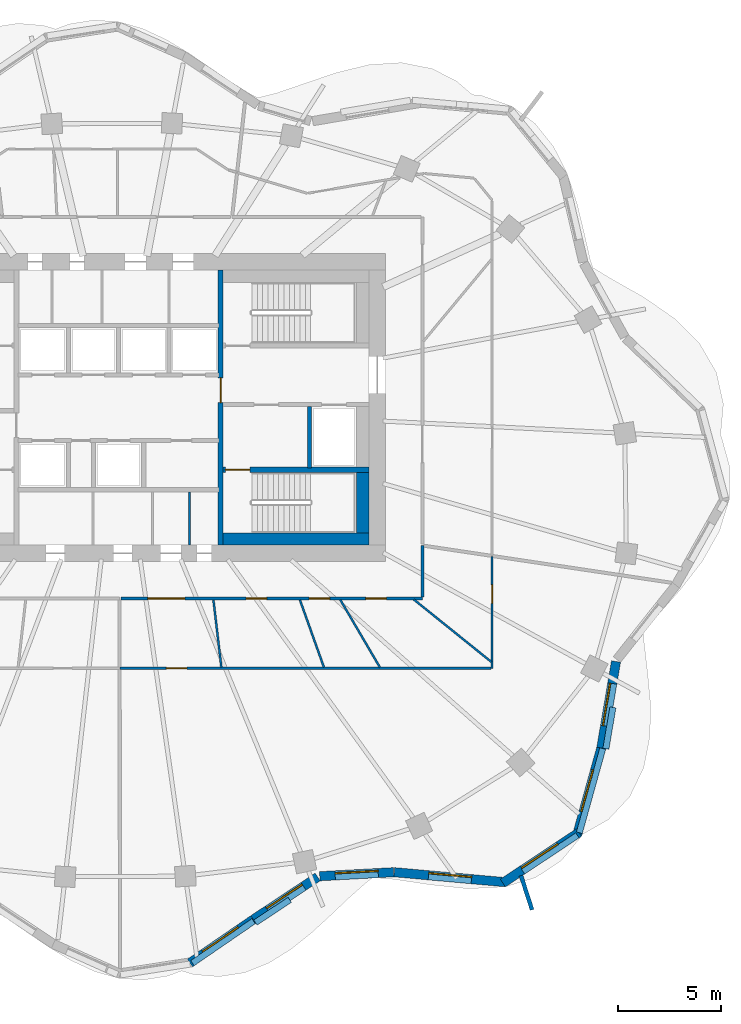
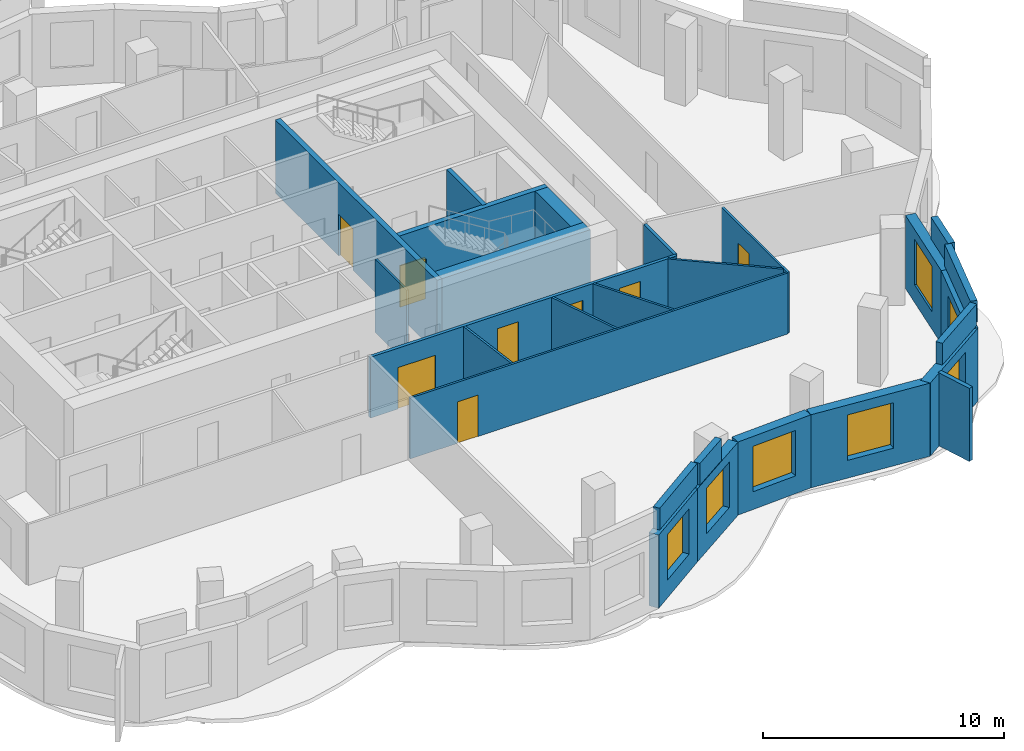
# One storey, part 5 of 9: 27 walls, 8 doors, 7 windows, 15 openings.
"""IFC4 building model written with IfcOpenShell, lengths in metres."""

from ifc_helpers import new_model, si_unit, direction, frame, frame_2d, origin, place, context, subcontext, project, spatial, rectangle, extrude, material, layer, layer_set, type_object, element, fill, save


model = new_model("IFC4")

# Units and contexts
model_context = context("Model", 3, precision=1e-05, world=origin(), true_north=direction((0.0, 1.0)))
body_context = subcontext(model_context, "Body", "Model", "MODEL_VIEW")
ifc_project = project(units=[si_unit("LENGTHUNIT", "METRE"), si_unit("AREAUNIT", "SQUARE_METRE"), si_unit("VOLUMEUNIT", "CUBIC_METRE"), si_unit("PLANEANGLEUNIT", "RADIAN"), si_unit("MASSUNIT", "GRAM", prefix="KILO")], contexts=[model_context])

# Site, building, storey
site_placement = place(None, origin())
site = spatial("IfcSite", under=ifc_project, at=site_placement, CompositionType="ELEMENT")
building_placement = place(site_placement, origin())
building = spatial("IfcBuilding", under=site, at=building_placement, Name="Rubra Terraces Tower", CompositionType="ELEMENT")
storey_placement = place(building_placement, frame((0.0, 0.0, 229.199951171875)))
storey = spatial("IfcBuildingStorey", under=building, at=storey_placement, Name="L56", CompositionType="ELEMENT", Elevation=229.199951171875)

# Wall, opening, window
ifc_material_1 = material(Name="Brick masonry red-brown", Category="masonry")
ifc_layer_1 = layer(ifc_material_1, 0.449951171875)
ifc_layer_set_1 = layer_set([ifc_layer_1], Name="Brick masonry red-brown")
wall_type_1 = type_object("IfcWallType", Name="Brick facade wall 450", PredefinedType="SOLIDWALL", material=ifc_layer_set_1)
wall_1_placement = place(storey_placement, frame((3.478515625, -22.559814453125, 0.0), z_axis=(0.0, 0.0, 1.0), x_axis=(0.824722766417, 0.565537230033, 0.0)))
wall_1 = element("IfcWall", 1, at=wall_1_placement, inside=storey, type_object=wall_type_1, Name="Facade wall L56 bay 32", PredefinedType="SOLIDWALL", context=body_context, shape_type="SweptSolid", body=[
    extrude(rectangle(XDim=3.742431640625, YDim=0.449951171875, at=frame_2d((1.87109375, 0.0))), origin(), (0.0, 0.0, 1.0), 3.699951171875),
])
opening_1_placement = place(wall_1_placement, frame((0.8212890625, 0.0, 0.89990234375)))
opening_1 = element("IfcOpeningElement", 2, at=opening_1_placement, cuts=wall_1, Name="Opening W1B", PredefinedType="OPENING", context=body_context, shape_type="SweptSolid", body=[
    extrude(rectangle(XDim=2.10009765625, YDim=2.300048828125, at=frame_2d((1.050048828125, 1.14990234375))), frame((0.0, 0.23486328125, 0.0), z_axis=(0.0, -1.0, 0.0), x_axis=(1.0, 0.0, 0.0)), (0.0, 0.0, 1.0), 0.469970703125),
])
ifc_material_2 = material(Name="Clear glass in aluminium frame", Category="aluminium")
window_type = type_object("IfcWindowType", Name="Fixed deep-set window tall storey 2100 x 2300", PartitioningType="SINGLE_PANEL", PredefinedType="WINDOW", material=ifc_material_2)
window_1_placement = place(opening_1_placement, origin())
window_1 = element("IfcWindow", 3, at=window_1_placement, inside=storey, type_object=window_type, Name="Window L56 bay 32", OverallHeight=2.300048828125, OverallWidth=2.10009765625, PartitioningType="SINGLE_PANEL", PredefinedType="WINDOW", context=body_context, shape_type="SweptSolid", body=[
    extrude(rectangle(XDim=2.10009765625, YDim=2.300048828125, at=frame_2d((1.050048828125, 1.14990234375))), frame((0.0, 0.135009765625, 0.0), z_axis=(0.0, -1.0, 0.0), x_axis=(1.0, 0.0, 0.0)), (0.0, 0.0, 1.0), 0.06005859375),
])
fill(opening_1, window_1)

wall_2_placement = place(storey_placement, frame((6.568115234375, -20.44140625, 0.0), z_axis=(0.0, 0.0, 1.0), x_axis=(0.834034214531, 0.551712723246, 0.0)))
wall_2 = element("IfcWall", 4, at=wall_2_placement, inside=storey, type_object=wall_type_1, Name="Facade wall L56 bay 33", PredefinedType="SOLIDWALL", context=body_context, shape_type="SweptSolid", body=[
    extrude(rectangle(XDim=3.75732421875, YDim=0.449951171875, at=frame_2d((1.878662109375, 0.0))), origin(), (0.0, 0.0, 1.0), 3.699951171875),
])
opening_2_placement = place(wall_2_placement, frame((0.82861328125, 0.0, 0.89990234375)))
opening_2 = element("IfcOpeningElement", 5, at=opening_2_placement, cuts=wall_2, Name="Opening W1B", PredefinedType="OPENING", context=body_context, shape_type="SweptSolid", body=[
    extrude(rectangle(XDim=2.10009765625, YDim=2.300048828125, at=frame_2d((1.050048828125, 1.14990234375))), frame((0.0, 0.23486328125, 0.0), z_axis=(0.0, -1.0, 0.0), x_axis=(1.0, 0.0, 0.0)), (0.0, 0.0, 1.0), 0.469970703125),
])
window_2_placement = place(opening_2_placement, origin())
window_2 = element("IfcWindow", 6, at=window_2_placement, inside=storey, type_object=window_type, Name="Window L56 bay 33", OverallHeight=2.300048828125, OverallWidth=2.10009765625, PartitioningType="SINGLE_PANEL", PredefinedType="WINDOW", context=body_context, shape_type="SweptSolid", body=[
    extrude(rectangle(XDim=2.10009765625, YDim=2.300048828125, at=frame_2d((1.050048828125, 1.14990234375))), frame((0.0, 0.135009765625, 0.0), z_axis=(0.0, -1.0, 0.0), x_axis=(1.0, 0.0, 0.0)), (0.0, 0.0, 1.0), 0.06005859375),
])
fill(opening_2, window_2)

wall_3_placement = place(storey_placement, frame((9.80322265625, -18.333740234375, 0.0), z_axis=(0.0, 0.0, 1.0), x_axis=(0.998525941495, 0.054276552602, 0.0)))
wall_3 = element("IfcWall", 7, at=wall_3_placement, inside=storey, type_object=wall_type_1, Name="Facade wall L56 bay 34", PredefinedType="SOLIDWALL", context=body_context, shape_type="SweptSolid", body=[
    extrude(rectangle(XDim=3.60302734375, YDim=0.449951171875, at=frame_2d((1.801513671875, 0.0))), origin(), (0.0, 0.0, 1.0), 3.699951171875),
])
opening_3_placement = place(wall_3_placement, frame((0.75146484375, 0.0, 0.89990234375)))
opening_3 = element("IfcOpeningElement", 8, at=opening_3_placement, cuts=wall_3, Name="Opening W1B", PredefinedType="OPENING", context=body_context, shape_type="SweptSolid", body=[
    extrude(rectangle(XDim=2.10009765625, YDim=2.300048828125, at=frame_2d((1.050048828125, 1.14990234375))), frame((0.0, 0.23486328125, 0.0), z_axis=(0.0, -1.0, 0.0), x_axis=(1.0, 0.0, 0.0)), (0.0, 0.0, 1.0), 0.469970703125),
])
window_3_placement = place(opening_3_placement, origin())
window_3 = element("IfcWindow", 9, at=window_3_placement, inside=storey, type_object=window_type, Name="Window L56 bay 34", OverallHeight=2.300048828125, OverallWidth=2.10009765625, PartitioningType="SINGLE_PANEL", PredefinedType="WINDOW", context=body_context, shape_type="SweptSolid", body=[
    extrude(rectangle(XDim=2.10009765625, YDim=2.300048828125, at=frame_2d((1.050048828125, 1.14990234375))), frame((0.0, 0.135009765625, 0.0), z_axis=(0.0, -1.0, 0.0), x_axis=(1.0, 0.0, 0.0)), (0.0, 0.0, 1.0), 0.06005859375),
])
fill(opening_3, window_3)

wall_4_placement = place(storey_placement, frame((13.435791015625, -18.1376953125, 0.0), z_axis=(0.0, 0.0, 1.0), x_axis=(0.99598810213, -0.089485755376, 0.0)))
wall_4 = element("IfcWall", 10, at=wall_4_placement, inside=storey, type_object=wall_type_1, Name="Facade wall L56 bay 35", PredefinedType="SOLIDWALL", context=body_context, shape_type="SweptSolid", body=[
    extrude(rectangle(XDim=5.451171875, YDim=0.449951171875, at=frame_2d((2.7255859375, 0.0))), origin(), (0.0, 0.0, 1.0), 3.699951171875),
])
opening_4_placement = place(wall_4_placement, frame((1.675537109375, 0.0, 0.89990234375)))
opening_4 = element("IfcOpeningElement", 11, at=opening_4_placement, cuts=wall_4, Name="Opening W1B", PredefinedType="OPENING", context=body_context, shape_type="SweptSolid", body=[
    extrude(rectangle(XDim=2.10009765625, YDim=2.300048828125, at=frame_2d((1.050048828125, 1.14990234375))), frame((0.0, 0.23486328125, 0.0), z_axis=(0.0, -1.0, 0.0), x_axis=(1.0, 0.0, 0.0)), (0.0, 0.0, 1.0), 0.469970703125),
])
window_4_placement = place(opening_4_placement, origin())
window_4 = element("IfcWindow", 12, at=window_4_placement, inside=storey, type_object=window_type, Name="Window L56 bay 35", OverallHeight=2.300048828125, OverallWidth=2.10009765625, PartitioningType="SINGLE_PANEL", PredefinedType="WINDOW", context=body_context, shape_type="SweptSolid", body=[
    extrude(rectangle(XDim=2.10009765625, YDim=2.300048828125, at=frame_2d((1.050048828125, 1.14990234375))), frame((0.0, 0.135009765625, 0.0), z_axis=(0.0, -1.0, 0.0), x_axis=(1.0, 0.0, 0.0)), (0.0, 0.0, 1.0), 0.06005859375),
])
fill(opening_4, window_4)

wall_5_placement = place(storey_placement, frame((18.7255859375, -18.66259765625, 0.0), z_axis=(0.0, 0.0, 1.0), x_axis=(0.83333921474, 0.552761931736, 0.0)))
wall_5 = element("IfcWall", 13, at=wall_5_placement, inside=storey, type_object=wall_type_1, Name="Facade wall L56 bay 36", PredefinedType="SOLIDWALL", context=body_context, shape_type="SweptSolid", body=[
    extrude(rectangle(XDim=4.45068359375, YDim=0.449951171875, at=frame_2d((2.225341796875, 0.0))), origin(), (0.0, 0.0, 1.0), 3.699951171875),
])
opening_5_placement = place(wall_5_placement, frame((1.17529296875, 0.0, 0.89990234375)))
opening_5 = element("IfcOpeningElement", 14, at=opening_5_placement, cuts=wall_5, Name="Opening W1B", PredefinedType="OPENING", context=body_context, shape_type="SweptSolid", body=[
    extrude(rectangle(XDim=2.10009765625, YDim=2.300048828125, at=frame_2d((1.050048828125, 1.14990234375))), frame((0.0, 0.23486328125, 0.0), z_axis=(0.0, -1.0, 0.0), x_axis=(1.0, 0.0, 0.0)), (0.0, 0.0, 1.0), 0.469970703125),
])
window_5_placement = place(opening_5_placement, origin())
window_5 = element("IfcWindow", 15, at=window_5_placement, inside=storey, type_object=window_type, Name="Window L56 bay 36", OverallHeight=2.300048828125, OverallWidth=2.10009765625, PartitioningType="SINGLE_PANEL", PredefinedType="WINDOW", context=body_context, shape_type="SweptSolid", body=[
    extrude(rectangle(XDim=2.10009765625, YDim=2.300048828125, at=frame_2d((1.050048828125, 1.14990234375))), frame((0.0, 0.135009765625, 0.0), z_axis=(0.0, -1.0, 0.0), x_axis=(1.0, 0.0, 0.0)), (0.0, 0.0, 1.0), 0.06005859375),
])
fill(opening_5, window_5)

wall_6_placement = place(storey_placement, frame((22.343505859375, -16.32568359375, 0.0), z_axis=(0.0, 0.0, 1.0), x_axis=(0.267925456304, 0.963439645159, 0.0)))
wall_6 = element("IfcWall", 16, at=wall_6_placement, inside=storey, type_object=wall_type_1, Name="Facade wall L56 bay 37", PredefinedType="SOLIDWALL", context=body_context, shape_type="SweptSolid", body=[
    extrude(rectangle(XDim=4.4267578125, YDim=0.449951171875, at=frame_2d((2.21337890625, 0.0))), origin(), (0.0, 0.0, 1.0), 3.699951171875),
])
opening_6_placement = place(wall_6_placement, frame((1.16357421875, 0.0, 0.89990234375)))
opening_6 = element("IfcOpeningElement", 17, at=opening_6_placement, cuts=wall_6, Name="Opening W1B", PredefinedType="OPENING", context=body_context, shape_type="SweptSolid", body=[
    extrude(rectangle(XDim=2.10009765625, YDim=2.300048828125, at=frame_2d((1.050048828125, 1.14990234375))), frame((0.0, 0.23486328125, 0.0), z_axis=(0.0, -1.0, 0.0), x_axis=(1.0, 0.0, 0.0)), (0.0, 0.0, 1.0), 0.469970703125),
])
window_6_placement = place(opening_6_placement, origin())
window_6 = element("IfcWindow", 18, at=window_6_placement, inside=storey, type_object=window_type, Name="Window L56 bay 37", OverallHeight=2.300048828125, OverallWidth=2.10009765625, PartitioningType="SINGLE_PANEL", PredefinedType="WINDOW", context=body_context, shape_type="SweptSolid", body=[
    extrude(rectangle(XDim=2.10009765625, YDim=2.300048828125, at=frame_2d((1.050048828125, 1.14990234375))), frame((0.0, 0.135009765625, 0.0), z_axis=(0.0, -1.0, 0.0), x_axis=(1.0, 0.0, 0.0)), (0.0, 0.0, 1.0), 0.06005859375),
])
fill(opening_6, window_6)

wall_7_placement = place(storey_placement, frame((23.524169921875, -12.0830078125, 0.0), z_axis=(0.0, 0.0, 1.0), x_axis=(0.167445072349, 0.985881406532, 0.0)))
wall_7 = element("IfcWall", 19, at=wall_7_placement, inside=storey, type_object=wall_type_1, Name="Facade wall L56 bay 38", PredefinedType="SOLIDWALL", context=body_context, shape_type="SweptSolid", body=[
    extrude(rectangle(XDim=4.27490234375, YDim=0.449951171875, at=frame_2d((2.137451171875, 0.0))), origin(), (0.0, 0.0, 1.0), 3.699951171875),
])
opening_7_placement = place(wall_7_placement, frame((1.08740234375, 0.0, 0.89990234375)))
opening_7 = element("IfcOpeningElement", 20, at=opening_7_placement, cuts=wall_7, Name="Opening W1B", PredefinedType="OPENING", context=body_context, shape_type="SweptSolid", body=[
    extrude(rectangle(XDim=2.10009765625, YDim=2.300048828125, at=frame_2d((1.050048828125, 1.14990234375))), frame((0.0, 0.23486328125, 0.0), z_axis=(0.0, -1.0, 0.0), x_axis=(1.0, 0.0, 0.0)), (0.0, 0.0, 1.0), 0.469970703125),
])
window_7_placement = place(opening_7_placement, origin())
window_7 = element("IfcWindow", 21, at=window_7_placement, inside=storey, type_object=window_type, Name="Window L56 bay 38", OverallHeight=2.300048828125, OverallWidth=2.10009765625, PartitioningType="SINGLE_PANEL", PredefinedType="WINDOW", context=body_context, shape_type="SweptSolid", body=[
    extrude(rectangle(XDim=2.10009765625, YDim=2.300048828125, at=frame_2d((1.050048828125, 1.14990234375))), frame((0.0, 0.135009765625, 0.0), z_axis=(0.0, -1.0, 0.0), x_axis=(1.0, 0.0, 0.0)), (0.0, 0.0, 1.0), 0.06005859375),
])
fill(opening_7, window_7)

# Walls
ifc_layer_2 = layer(ifc_material_1, 0.300048828125)
ifc_layer_set_2 = layer_set([ifc_layer_2], Name="Brick masonry red-brown")
wall_type_2 = type_object("IfcWallType", Name="Brick parapet 300", PredefinedType="PARAPET", material=ifc_layer_set_2)
wall_8_placement = place(storey_placement, frame((3.59912109375, -22.56787109375, 3.900146484375), z_axis=(0.0, 0.0, 1.0), x_axis=(0.82476034254, 0.565482428881, 0.0)))
element("IfcWall", 22, at=wall_8_placement, inside=storey, type_object=wall_type_2, Name="Parapet L56 bay 32", PredefinedType="PARAPET", context=body_context, shape_type="SweptSolid", body=[
    extrude(rectangle(XDim=3.61572265625, YDim=0.300048828125, at=frame_2d((1.807861328125, 0.0))), origin(), (0.0, 0.0, 1.0), 1.099853515625),
])
wall_9_placement = place(storey_placement, frame((6.665283203125, -20.593017578125, 3.900146484375), z_axis=(0.0, 0.0, 1.0), x_axis=(0.834027642059, 0.551722658843, 0.0)))
element("IfcWall", 23, at=wall_9_placement, inside=storey, type_object=wall_type_2, Name="Parapet L56 bay 33", PredefinedType="PARAPET", context=body_context, shape_type="SweptSolid", body=[
    extrude(rectangle(XDim=2.008056640625, YDim=0.300048828125, at=frame_2d((1.00390625, 0.0))), origin(), (0.0, 0.0, 1.0), 1.099853515625),
])
wall_10_placement = place(storey_placement, frame((19.70751953125, -18.101318359375, 3.900146484375), z_axis=(0.0, 0.0, 1.0), x_axis=(0.833370664286, 0.552714515738, 0.0)))
element("IfcWall", 24, at=wall_10_placement, inside=storey, type_object=wall_type_2, Name="Parapet L56 bay 36", PredefinedType="PARAPET", context=body_context, shape_type="SweptSolid", body=[
    extrude(rectangle(XDim=3.180419921875, YDim=0.300048828125, at=frame_2d((1.59033203125, 0.0))), origin(), (0.0, 0.0, 1.0), 1.099853515625),
])
wall_11_placement = place(storey_placement, frame((22.452392578125, -16.213134765625, 3.900146484375), z_axis=(0.0, 0.0, 1.0), x_axis=(0.267993020858, 0.963420853403, 0.0)))
element("IfcWall", 25, at=wall_11_placement, inside=storey, type_object=wall_type_2, Name="Parapet L56 bay 37", PredefinedType="PARAPET", context=body_context, shape_type="SweptSolid", body=[
    extrude(rectangle(XDim=4.25537109375, YDim=0.300048828125, at=frame_2d((2.127685546875, 0.0))), origin(), (0.0, 0.0, 1.0), 1.099853515625),
])
wall_12_placement = place(storey_placement, frame((23.7451171875, -12.125, 3.900146484375), z_axis=(0.0, 0.0, 1.0), x_axis=(0.16743218322, 0.985883595574, 0.0)))
element("IfcWall", 26, at=wall_12_placement, inside=storey, type_object=wall_type_2, Name="Parapet L56 bay 38", PredefinedType="PARAPET", context=body_context, shape_type="SweptSolid", body=[
    extrude(rectangle(XDim=2.048583984375, YDim=0.300048828125, at=frame_2d((1.0244140625, 0.0))), origin(), (0.0, 0.0, 1.0), 1.099853515625),
])
ifc_layer_3 = layer(ifc_material_1, 0.199951171875)
ifc_layer_set_3 = layer_set([ifc_layer_3], Name="Brick masonry red-brown")
wall_type_3 = type_object("IfcWallType", Name="Brick wind fin 200", PredefinedType="SOLIDWALL", material=ifc_layer_set_3)
wall_13_placement = place(storey_placement, frame((19.60888671875, -18.304931640625, 0.0), z_axis=(0.0, 0.0, 1.0), x_axis=(0.308600224758, -0.951191832008, 0.0)))
element("IfcWall", 27, at=wall_13_placement, inside=storey, type_object=wall_type_3, Name="Wind fin L56 22", PredefinedType="SOLIDWALL", context=body_context, shape_type="SweptSolid", body=[
    extrude(rectangle(XDim=1.75, YDim=0.199951171875, at=frame_2d((0.875, 0.0))), origin(), (0.0, 0.0, 1.0), 3.699951171875),
])

# Wall, openings, doors
ifc_material_3 = material(Name="Plasterboard on steel stud, mineral wool infill", Category="steel")
ifc_layer_4 = layer(ifc_material_3, 0.14990234375)
ifc_layer_set_4 = layer_set([ifc_layer_4], Name="Plasterboard on steel stud, mineral wool infill")
wall_type_4 = type_object("IfcWallType", Name="CORRIDOR PARTITION 150", PredefinedType="PARTITIONING", material=ifc_layer_set_4)
wall_14_placement = place(storey_placement, frame((0.126953125, -4.800048828125, 0.0), z_axis=(0.0, 0.0, 1.0), x_axis=(1.0, 0.0, 0.0)))
wall_14 = element("IfcWall", 28, at=wall_14_placement, inside=storey, type_object=wall_type_4, Name="PARTITION", PredefinedType="PARTITIONING", context=body_context, shape_type="SweptSolid", body=[
    extrude(rectangle(XDim=14.673095703125, YDim=0.14990234375, at=frame_2d((7.33642578125, 0.0))), origin(), (0.0, 0.0, 1.0), 3.083984375),
])
opening_8_placement = place(wall_14_placement, frame((1.305908203125, 0.0, 0.0)))
opening_8 = element("IfcOpeningElement", 29, at=opening_8_placement, cuts=wall_14, Name="Opening 56-110", PredefinedType="OPENING", context=body_context, shape_type="SweptSolid", body=[
    extrude(rectangle(XDim=1.800048828125, YDim=2.10009765625, at=frame_2d((0.89990234375, 1.050048828125))), frame((0.0, 0.0849609375, 0.0), z_axis=(0.0, -1.0, 0.0), x_axis=(1.0, 0.0, 0.0)), (0.0, 0.0, 1.0), 0.169921875),
])
opening_9_placement = place(wall_14_placement, frame((6.0859375, 0.0, 0.0)))
opening_9 = element("IfcOpeningElement", 30, at=opening_9_placement, cuts=wall_14, Name="Opening 56-112", PredefinedType="OPENING", context=body_context, shape_type="SweptSolid", body=[
    extrude(rectangle(XDim=1.0, YDim=2.39990234375, at=frame_2d((0.5, 1.199951171875))), frame((0.0, 0.0849609375, 0.0), z_axis=(0.0, -1.0, 0.0), x_axis=(1.0, 0.0, 0.0)), (0.0, 0.0, 1.0), 0.169921875),
])
opening_10_placement = place(wall_14_placement, frame((9.1630859375, 0.0, 0.0)))
opening_10 = element("IfcOpeningElement", 31, at=opening_10_placement, cuts=wall_14, Name="Opening 56-113", PredefinedType="OPENING", context=body_context, shape_type="SweptSolid", body=[
    extrude(rectangle(XDim=1.0, YDim=2.39990234375, at=frame_2d((0.5, 1.199951171875))), frame((0.0, 0.0849609375, 0.0), z_axis=(0.0, -1.0, 0.0), x_axis=(1.0, 0.0, 0.0)), (0.0, 0.0, 1.0), 0.169921875),
])
opening_11_placement = place(wall_14_placement, frame((11.919921875, 0.0, 0.0)))
opening_11 = element("IfcOpeningElement", 32, at=opening_11_placement, cuts=wall_14, Name="Opening 56-114", PredefinedType="OPENING", context=body_context, shape_type="SweptSolid", body=[
    extrude(rectangle(XDim=1.0, YDim=2.39990234375, at=frame_2d((0.5, 1.199951171875))), frame((0.0, 0.0849609375, 0.0), z_axis=(0.0, -1.0, 0.0), x_axis=(1.0, 0.0, 0.0)), (0.0, 0.0, 1.0), 0.169921875),
])
ifc_material_4 = material(Name="Glazed aluminium meeting door leaf", Category="aluminium")
door_type_1 = type_object("IfcDoorType", Name="MEETING ROOM GLAZED DOOR 1000 X 2400", OperationType="SINGLE_SWING_LEFT", PredefinedType="DOOR", material=ifc_material_4)
door_1_placement = place(opening_9_placement, origin())
door_1 = element("IfcDoor", 33, at=door_1_placement, inside=storey, type_object=door_type_1, Name="DOOR 56-112", OperationType="SINGLE_SWING_RIGHT", OverallHeight=2.39990234375, OverallWidth=1.0, PredefinedType="DOOR", context=body_context, shape_type="SweptSolid", body=[
    extrude(rectangle(XDim=1.0, YDim=2.39990234375, at=frame_2d((0.5, 1.199951171875))), frame((0.0, 0.02490234375, 0.0), z_axis=(0.0, -1.0, 0.0), x_axis=(1.0, 0.0, 0.0)), (0.0, 0.0, 1.0), 0.050048828125),
])
fill(opening_9, door_1)
door_2_placement = place(opening_10_placement, origin())
door_2 = element("IfcDoor", 34, at=door_2_placement, inside=storey, type_object=door_type_1, Name="DOOR 56-113", OperationType="SINGLE_SWING_RIGHT", OverallHeight=2.39990234375, OverallWidth=1.0, PredefinedType="DOOR", context=body_context, shape_type="SweptSolid", body=[
    extrude(rectangle(XDim=1.0, YDim=2.39990234375, at=frame_2d((0.5, 1.199951171875))), frame((0.0, 0.02490234375, 0.0), z_axis=(0.0, -1.0, 0.0), x_axis=(1.0, 0.0, 0.0)), (0.0, 0.0, 1.0), 0.050048828125),
])
fill(opening_10, door_2)
door_3_placement = place(opening_11_placement, origin())
door_3 = element("IfcDoor", 35, at=door_3_placement, inside=storey, type_object=door_type_1, Name="DOOR 56-114", OperationType="SINGLE_SWING_RIGHT", OverallHeight=2.39990234375, OverallWidth=1.0, PredefinedType="DOOR", context=body_context, shape_type="SweptSolid", body=[
    extrude(rectangle(XDim=1.0, YDim=2.39990234375, at=frame_2d((0.5, 1.199951171875))), frame((0.0, 0.02490234375, 0.0), z_axis=(0.0, -1.0, 0.0), x_axis=(1.0, 0.0, 0.0)), (0.0, 0.0, 1.0), 0.050048828125),
])
fill(opening_11, door_3)
ifc_material_5 = material(Name="Painted timber door leaf, double", Category="wood")
door_type_2 = type_object("IfcDoorType", Name="ROOM DOUBLE DOOR 1800 X 2100", OperationType="DOUBLE_DOOR_SINGLE_SWING", PredefinedType="DOOR", material=ifc_material_5)
door_4_placement = place(opening_8_placement, origin())
door_4 = element("IfcDoor", 36, at=door_4_placement, inside=storey, type_object=door_type_2, Name="DOOR 56-110", OperationType="DOUBLE_DOOR_SINGLE_SWING", OverallHeight=2.10009765625, OverallWidth=1.800048828125, PredefinedType="DOOR", context=body_context, shape_type="SweptSolid", body=[
    extrude(rectangle(XDim=1.800048828125, YDim=2.10009765625, at=frame_2d((0.89990234375, 1.050048828125))), frame((0.0, 0.02490234375, 0.0), z_axis=(0.0, -1.0, 0.0), x_axis=(1.0, 0.0, 0.0)), (0.0, 0.0, 1.0), 0.050048828125),
])
fill(opening_8, door_4)

# Walls
wall_15_placement = place(storey_placement, frame((14.800048828125, -4.72509765625, 0.0), z_axis=(0.0, 0.0, 1.0), x_axis=(0.0, 1.0, 0.0)))
element("IfcWall", 37, at=wall_15_placement, inside=storey, type_object=wall_type_4, Name="PARTITION", PredefinedType="PARTITIONING", context=body_context, shape_type="SweptSolid", body=[
    extrude(rectangle(XDim=2.50830078125, YDim=0.14990234375, at=frame_2d((1.254150390625, 0.0))), origin(), (0.0, 0.0, 1.0), 3.083984375),
])
ifc_material_6 = material(Name="Concrete C40", Category="concrete")
ifc_layer_5 = layer(ifc_material_6, 0.60009765625)
ifc_layer_set_5 = layer_set([ifc_layer_5], Name="Concrete C40")
wall_type_5 = type_object("IfcWallType", Name="Core lining wall 600 concrete", PredefinedType="SOLIDWALL", material=ifc_layer_set_5)
wall_16_placement = place(storey_placement, frame((11.89990234375, 1.35009765625, 0.0), z_axis=(0.0, 0.0, 1.0), x_axis=(0.0, -1.0, 0.0)))
element("IfcWall", 38, at=wall_16_placement, inside=storey, type_object=wall_type_5, Name="CORE LINING WALL L56", PredefinedType="SOLIDWALL", context=body_context, shape_type="SweptSolid", body=[
    extrude(rectangle(XDim=2.9501953125, YDim=0.60009765625, at=frame_2d((1.47509765625, 0.0))), origin(), (0.0, 0.0, 1.0), 3.699951171875),
])
wall_17_placement = place(storey_placement, frame((12.199951171875, -1.89990234375, 0.0), z_axis=(0.0, 0.0, 1.0), x_axis=(-1.0, 0.0, 0.0)))
element("IfcWall", 39, at=wall_17_placement, inside=storey, type_object=wall_type_5, Name="CORE LINING WALL L56", PredefinedType="SOLIDWALL", context=body_context, shape_type="SweptSolid", body=[
    extrude(rectangle(XDim=7.099853515625, YDim=0.60009765625, at=frame_2d((3.5498046875, 0.0))), origin(), (0.0, 0.0, 1.0), 3.699951171875),
])
ifc_material_7 = material(Name="Concrete C30", Category="concrete")
ifc_layer_6 = layer(ifc_material_7, 0.199951171875)
ifc_layer_set_6 = layer_set([ifc_layer_6], Name="Concrete C30")
wall_type_6 = type_object("IfcWallType", Name="Core wall 200 concrete", PredefinedType="SOLIDWALL", material=ifc_layer_set_6)
wall_18_placement = place(storey_placement, frame((9.300048828125, 4.550048828125, 0.0), z_axis=(0.0, 0.0, 1.0), x_axis=(0.0, -1.0, 0.0)))
element("IfcWall", 40, at=wall_18_placement, inside=storey, type_object=wall_type_6, Name="STAIR WALL L56", PredefinedType="SOLIDWALL", context=body_context, shape_type="SweptSolid", body=[
    extrude(rectangle(XDim=3.0, YDim=0.199951171875, at=frame_2d((1.5, 0.0))), origin(), (0.0, 0.0, 1.0), 3.699951171875),
])

# Wall, opening, door
ifc_material_8 = material(Name="Plasterboard on steel stud", Category="steel")
ifc_layer_7 = layer(ifc_material_8, 0.10009765625)
ifc_layer_set_7 = layer_set([ifc_layer_7], Name="Plasterboard on steel stud")
wall_type_7 = type_object("IfcWallType", Name="ROOM PARTITION 100", PredefinedType="PARTITIONING", material=ifc_layer_set_7)
wall_19_placement = place(storey_placement, frame((18.199951171875, -2.74560546875, 0.0), z_axis=(0.0, 0.0, 1.0), x_axis=(0.0, -1.0, 0.0)))
wall_19 = element("IfcWall", 41, at=wall_19_placement, inside=storey, type_object=wall_type_7, Name="PARTITION", PredefinedType="PARTITIONING", context=body_context, shape_type="SweptSolid", body=[
    extrude(rectangle(XDim=5.454345703125, YDim=0.10009765625, at=frame_2d((2.72705078125, 0.0))), origin(), (0.0, 0.0, 1.0), 3.083984375),
])
opening_12_placement = place(wall_19_placement, frame((1.39111328125, 0.0, 0.0)))
opening_12 = element("IfcOpeningElement", 42, at=opening_12_placement, cuts=wall_19, Name="Opening 56-115", PredefinedType="OPENING", context=body_context, shape_type="SweptSolid", body=[
    extrude(rectangle(XDim=0.89990234375, YDim=2.10009765625, at=frame_2d((0.449951171875, 1.050048828125))), frame((0.0, 0.06005859375, 0.0), z_axis=(0.0, -1.0, 0.0), x_axis=(1.0, 0.0, 0.0)), (0.0, 0.0, 1.0), 0.1201171875),
])
ifc_material_9 = material(Name="Painted timber door leaf", Category="wood")
door_type_3 = type_object("IfcDoorType", Name="ROOM DOOR 900 X 2100", OperationType="SINGLE_SWING_LEFT", PredefinedType="DOOR", material=ifc_material_9)
door_5_placement = place(opening_12_placement, origin())
door_5 = element("IfcDoor", 43, at=door_5_placement, inside=storey, type_object=door_type_3, Name="DOOR 56-115", OperationType="SINGLE_SWING_RIGHT", OverallHeight=2.10009765625, OverallWidth=0.89990234375, PredefinedType="DOOR", context=body_context, shape_type="SweptSolid", body=[
    extrude(rectangle(XDim=0.89990234375, YDim=2.10009765625, at=frame_2d((0.449951171875, 1.050048828125))), frame((0.0, 0.02490234375, 0.0), z_axis=(0.0, -1.0, 0.0), x_axis=(1.0, 0.0, 0.0)), (0.0, 0.0, 1.0), 0.050048828125),
])
fill(opening_12, door_5)

wall_20_placement = place(storey_placement, frame((18.14990234375, -8.199951171875, 0.0), z_axis=(0.0, 0.0, 1.0), x_axis=(-1.0, 0.0, 0.0)))
wall_20 = element("IfcWall", 44, at=wall_20_placement, inside=storey, type_object=wall_type_7, Name="PARTITION", PredefinedType="PARTITIONING", context=body_context, shape_type="SweptSolid", body=[
    extrude(rectangle(XDim=18.075927734375, YDim=0.10009765625, at=frame_2d((9.0380859375, 0.0))), origin(), (0.0, 0.0, 1.0), 3.083984375),
])
opening_13_placement = place(wall_20_placement, frame((14.81591796875, 0.0, 0.0)))
opening_13 = element("IfcOpeningElement", 45, at=opening_13_placement, cuts=wall_20, Name="Opening 56-111", PredefinedType="OPENING", context=body_context, shape_type="SweptSolid", body=[
    extrude(rectangle(XDim=1.0, YDim=2.10009765625, at=frame_2d((0.5, 1.050048828125))), frame((0.0, 0.06005859375, 0.0), z_axis=(0.0, -1.0, 0.0), x_axis=(1.0, 0.0, 0.0)), (0.0, 0.0, 1.0), 0.1201171875),
])
door_type_4 = type_object("IfcDoorType", Name="ROOM DOOR 1000 X 2100", OperationType="SINGLE_SWING_LEFT", PredefinedType="DOOR", material=ifc_material_9)
door_6_placement = place(opening_13_placement, origin())
door_6 = element("IfcDoor", 46, at=door_6_placement, inside=storey, type_object=door_type_4, Name="DOOR 56-111", OperationType="SINGLE_SWING_LEFT", OverallHeight=2.10009765625, OverallWidth=1.0, PredefinedType="DOOR", context=body_context, shape_type="SweptSolid", body=[
    extrude(rectangle(XDim=1.0, YDim=2.10009765625, at=frame_2d((0.5, 1.050048828125))), frame((0.0, 0.02490234375, 0.0), z_axis=(0.0, -1.0, 0.0), x_axis=(1.0, 0.0, 0.0)), (0.0, 0.0, 1.0), 0.050048828125),
])
fill(opening_13, door_6)

# Walls
wall_21_placement = place(storey_placement, frame((4.623046875, -4.87451171875, 0.0), z_axis=(0.0, 0.0, 1.0), x_axis=(0.116871308631, -0.993147067266, 0.0)))
element("IfcWall", 47, at=wall_21_placement, inside=storey, type_object=wall_type_7, Name="PARTITION", PredefinedType="PARTITIONING", context=body_context, shape_type="SweptSolid", body=[
    extrude(rectangle(XDim=3.298583984375, YDim=0.10009765625, at=frame_2d((1.6494140625, 0.0))), origin(), (0.0, 0.0, 1.0), 3.083984375),
])
wall_22_placement = place(storey_placement, frame((8.837646484375, -4.87060546875, 0.0), z_axis=(0.0, 0.0, 1.0), x_axis=(0.335439563495, -0.942061727936, 0.0)))
element("IfcWall", 48, at=wall_22_placement, inside=storey, type_object=wall_type_7, Name="PARTITION", PredefinedType="PARTITIONING", context=body_context, shape_type="SweptSolid", body=[
    extrude(rectangle(XDim=3.484130859375, YDim=0.10009765625, at=frame_2d((1.7421875, 0.0))), origin(), (0.0, 0.0, 1.0), 3.083984375),
])
wall_23_placement = place(storey_placement, frame((10.80517578125, -4.86474609375, 0.0), z_axis=(0.0, 0.0, 1.0), x_axis=(0.505719499712, -0.862697970098, 0.0)))
element("IfcWall", 49, at=wall_23_placement, inside=storey, type_object=wall_type_7, Name="PARTITION", PredefinedType="PARTITIONING", context=body_context, shape_type="SweptSolid", body=[
    extrude(rectangle(XDim=3.816162109375, YDim=0.10009765625, at=frame_2d((1.908203125, 0.0))), origin(), (0.0, 0.0, 1.0), 3.083984375),
])
wall_24_placement = place(storey_placement, frame((14.384765625, -4.846923828125, 0.0), z_axis=(0.0, 0.0, 1.0), x_axis=(0.779012885321, -0.627007914228, 0.0)))
element("IfcWall", 50, at=wall_24_placement, inside=storey, type_object=wall_type_7, Name="PARTITION", PredefinedType="PARTITIONING", context=body_context, shape_type="SweptSolid", body=[
    extrude(rectangle(XDim=4.847412109375, YDim=0.10009765625, at=frame_2d((2.423828125, 0.0))), origin(), (0.0, 0.0, 1.0), 3.083984375),
])
ifc_material_10 = material(Name="Blockwork", Category="masonry")
ifc_layer_8 = layer(ifc_material_10, 0.10009765625)
ifc_layer_set_8 = layer_set([ifc_layer_8], Name="Blockwork")
wall_type_8 = type_object("IfcWallType", Name="Service partition 100 blockwork", PredefinedType="PARTITIONING", material=ifc_layer_set_8)
wall_25_placement = place(storey_placement, frame((3.449951171875, -2.199951171875, 0.0), z_axis=(0.0, 0.0, 1.0), x_axis=(0.0, 1.0, 0.0)))
element("IfcWall", 51, at=wall_25_placement, inside=storey, type_object=wall_type_8, Name="SERVICE ROOM PARTITION L56", PredefinedType="PARTITIONING", context=body_context, shape_type="SweptSolid", body=[
    extrude(rectangle(XDim=2.599853515625, YDim=0.10009765625, at=frame_2d((1.2998046875, 0.0))), origin(), (0.0, 0.0, 1.0), 3.699951171875),
])

# Wall, opening, door
ifc_layer_9 = layer(ifc_material_6, 0.25)
ifc_layer_set_9 = layer_set([ifc_layer_9], Name="Concrete C40")
wall_type_9 = type_object("IfcWallType", Name="Stair enclosure wall 250 concrete", PredefinedType="SOLIDWALL", material=ifc_layer_set_9)
wall_26_placement = place(storey_placement, frame((12.199951171875, 1.47509765625, 0.0), z_axis=(0.0, 0.0, 1.0), x_axis=(-1.0, 0.0, 0.0)))
wall_26 = element("IfcWall", 52, at=wall_26_placement, inside=storey, type_object=wall_type_9, Name="STAIR WALL L56", PredefinedType="SOLIDWALL", context=body_context, shape_type="SweptSolid", body=[
    extrude(rectangle(XDim=7.099853515625, YDim=0.25, at=frame_2d((3.5498046875, 0.0))), origin(), (0.0, 0.0, 1.0), 3.699951171875),
])
opening_14_placement = place(wall_26_placement, frame((5.800048828125, 0.0, 0.0)))
opening_14 = element("IfcOpeningElement", 53, at=opening_14_placement, cuts=wall_26, Name="Opening L56.C10", PredefinedType="OPENING", context=body_context, shape_type="SweptSolid", body=[
    extrude(rectangle(XDim=1.199951171875, YDim=2.10009765625, at=frame_2d((0.60009765625, 1.050048828125))), frame((0.0, 0.135009765625, 0.0), z_axis=(0.0, -1.0, 0.0), x_axis=(1.0, 0.0, 0.0)), (0.0, 0.0, 1.0), 0.27001953125),
])
ifc_material_11 = material(Name="Painted steel", Category="steel")
door_type_5 = type_object("IfcDoorType", Name="Fire door 1200x2100 single", OperationType="NOTDEFINED", PredefinedType="DOOR", material=ifc_material_11)
door_7_placement = place(opening_14_placement, origin())
door_7 = element("IfcDoor", 54, at=door_7_placement, inside=storey, type_object=door_type_5, Name="Stair door S4", OperationType="SINGLE_SWING_RIGHT", OverallHeight=2.10009765625, OverallWidth=1.199951171875, PredefinedType="DOOR", context=body_context, shape_type="SweptSolid", body=[
    extrude(rectangle(XDim=1.199951171875, YDim=2.10009765625, at=frame_2d((0.60009765625, 1.050048828125))), frame((0.0, 0.02490234375, 0.0), z_axis=(0.0, -1.0, 0.0), x_axis=(1.0, 0.0, 0.0)), (0.0, 0.0, 1.0), 0.050048828125),
])
fill(opening_14, door_7)

wall_27_placement = place(storey_placement, frame((4.97509765625, 11.199951171875, 0.0), z_axis=(0.0, 0.0, 1.0), x_axis=(0.0, -1.0, 0.0)))
wall_27 = element("IfcWall", 55, at=wall_27_placement, inside=storey, type_object=wall_type_9, Name="CORE LOBBY WALL L56", PredefinedType="SOLIDWALL", context=body_context, shape_type="SweptSolid", body=[
    extrude(rectangle(XDim=13.39990234375, YDim=0.25, at=frame_2d((6.699951171875, 0.0))), origin(), (0.0, 0.0, 1.0), 3.699951171875),
])
opening_15_placement = place(wall_27_placement, frame((5.25, 0.0, 0.0)))
opening_15 = element("IfcOpeningElement", 56, at=opening_15_placement, cuts=wall_27, Name="Opening L56.C04", PredefinedType="OPENING", context=body_context, shape_type="SweptSolid", body=[
    extrude(rectangle(XDim=1.199951171875, YDim=2.10009765625, at=frame_2d((0.60009765625, 1.050048828125))), frame((0.0, 0.135009765625, 0.0), z_axis=(0.0, -1.0, 0.0), x_axis=(1.0, 0.0, 0.0)), (0.0, 0.0, 1.0), 0.27001953125),
])
door_8_placement = place(opening_15_placement, origin())
door_8 = element("IfcDoor", 57, at=door_8_placement, inside=storey, type_object=door_type_5, Name="Firefighting lobby door FF2", OperationType="SINGLE_SWING_RIGHT", OverallHeight=2.10009765625, OverallWidth=1.199951171875, PredefinedType="DOOR", context=body_context, shape_type="SweptSolid", body=[
    extrude(rectangle(XDim=1.199951171875, YDim=2.10009765625, at=frame_2d((0.60009765625, 1.050048828125))), frame((0.0, 0.02490234375, 0.0), z_axis=(0.0, -1.0, 0.0), x_axis=(1.0, 0.0, 0.0)), (0.0, 0.0, 1.0), 0.050048828125),
])
fill(opening_15, door_8)

save(model, "model.ifc")
